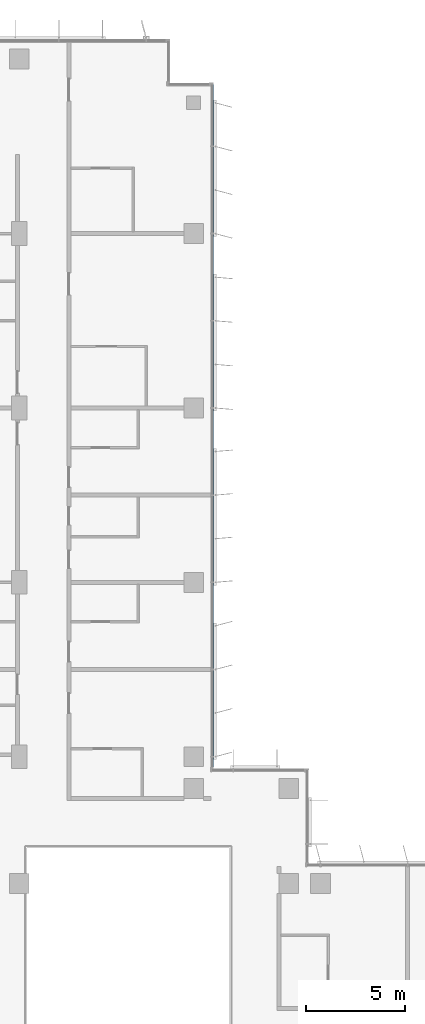
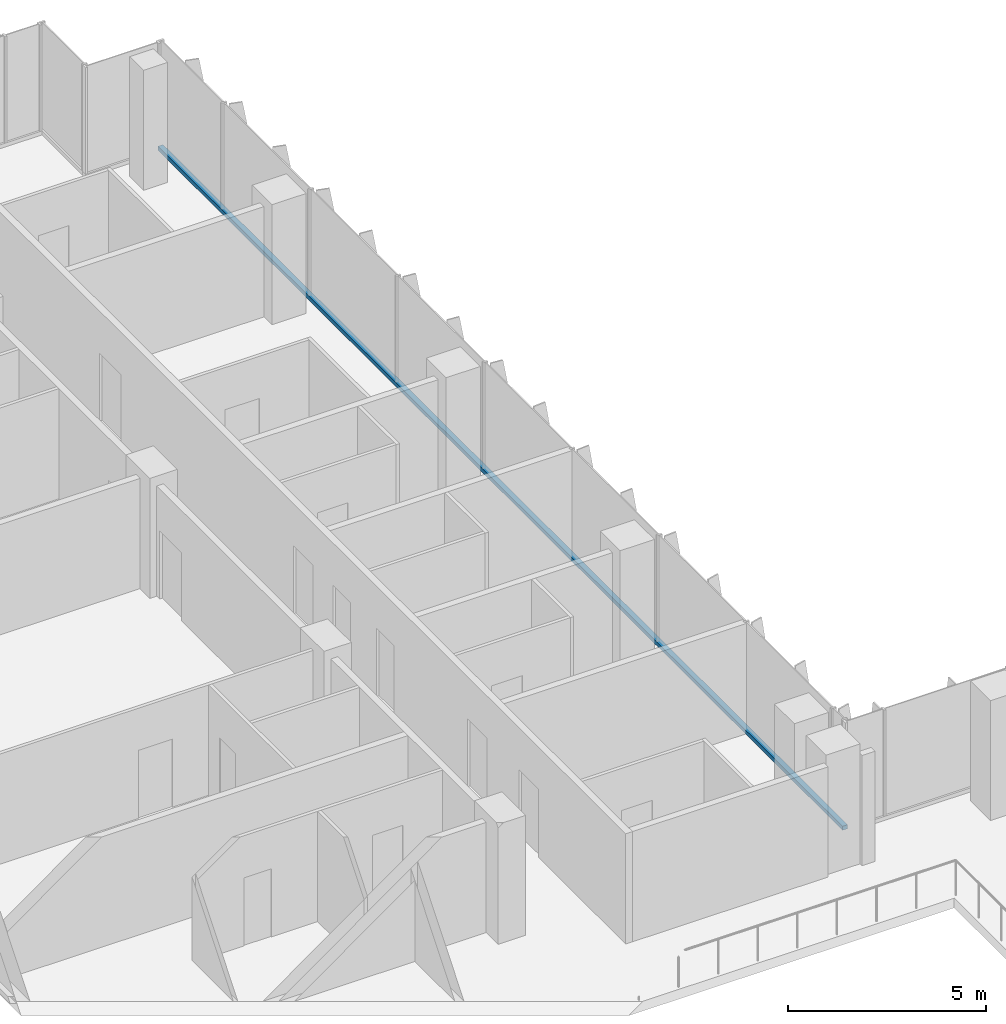
# One storey, part 6 of 21: 1 member, 1 element without a shape of its own.
"""IFC4 building model written with IfcOpenShell, lengths in metres."""

from ifc_helpers import new_model, si_unit, direction, frame, origin, origin_2d, place, context, subcontext, project, spatial, rectangle, extrude, material, material_profile, profile_set, type_object, element, aggregate, save


model = new_model("IFC4")

# Units and contexts
model_context = context("Model", 3, precision=1e-05, world=origin(), true_north=direction((0.0, 1.0)))
body_context = subcontext(model_context, "Body", "Model", "MODEL_VIEW")
ifc_project = project(units=[si_unit("LENGTHUNIT", "METRE"), si_unit("AREAUNIT", "SQUARE_METRE"), si_unit("VOLUMEUNIT", "CUBIC_METRE"), si_unit("PLANEANGLEUNIT", "RADIAN"), si_unit("MASSUNIT", "GRAM", prefix="KILO")], contexts=[model_context])

# Site, building, storey
site_placement = place(None, origin())
site = spatial("IfcSite", under=ifc_project, at=site_placement, CompositionType="ELEMENT")
building_placement = place(site_placement, origin())
building = spatial("IfcBuilding", under=site, at=building_placement, Name="Kemantara Hotel Tower", CompositionType="ELEMENT")
storey_placement = place(building_placement, frame((0.0, 0.0, 171.60009765625)))
storey = spatial("IfcBuildingStorey", under=building, at=storey_placement, Name="L42", CompositionType="ELEMENT", Elevation=171.60009765625)

# Curtain wall, member
ifc_material_1 = material(Name="Low-E tinted double insulated glass 36 mm", Category="glass")
curtain_wall_type = type_object("IfcCurtainWallType", Name="TOWER CURTAIN WALL, FRONT FACES", PredefinedType="USERDEFINED", material=ifc_material_1)
curtain_wall_placement = place(storey_placement, origin())
curtain_wall = element("IfcCurtainWall", 1, at=curtain_wall_placement, inside=storey, type_object=curtain_wall_type, Name="CW4 L42 T3-R17-1", ObjectType="TOWER CURTAIN WALL, FRONT FACES", PredefinedType="USERDEFINED")
ifc_material_2 = material(Name="Aluminium 6063-T6 bronze anodised", Category="aluminium")
ifc_material_profile = material_profile(ifc_material_2, rectangle(XDim=0.14990234375, YDim=0.1201171875, at=origin_2d()), Name="TOWER CURTAIN WALL, FRONT FACES TRANSOM")
ifc_profile_set = profile_set([ifc_material_profile], Name="Aluminium 6063-T6 bronze anodised")
member_type = type_object("IfcMemberType", Name="TOWER CURTAIN WALL, FRONT FACES TRANSOM", PredefinedType="USERDEFINED", material=ifc_profile_set)
member_placement = place(storey_placement, frame((21.925048828125, 26.800048828125, 0.059814453125), z_axis=(0.0, 1.0, 0.0), x_axis=(-1.0, 0.0, 0.0)))
member = element("IfcMember", 2, at=member_placement, type_object=member_type, Name="CW4 sill transom T3-R17-1", ObjectType="TRANSOM", PredefinedType="USERDEFINED", context=body_context, shape_type="SweptSolid", body=[
    extrude(rectangle(XDim=0.14990234375, YDim=0.1201171875, at=origin_2d()), origin(), (0.0, 0.0, 1.0), 34.599853515625),
])
aggregate(curtain_wall, [member])

save(model, "model.ifc")
